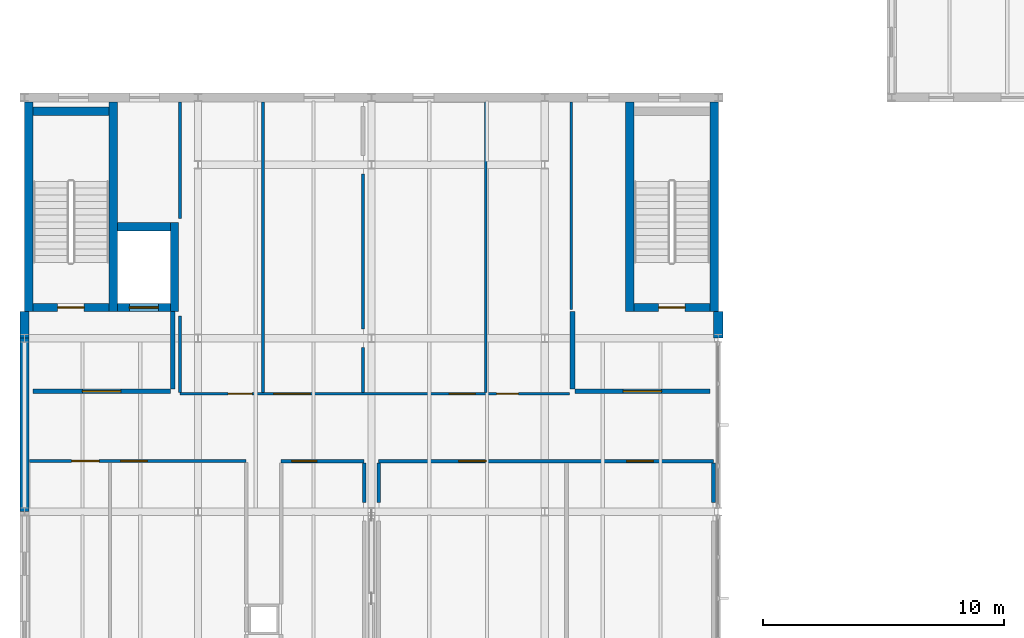
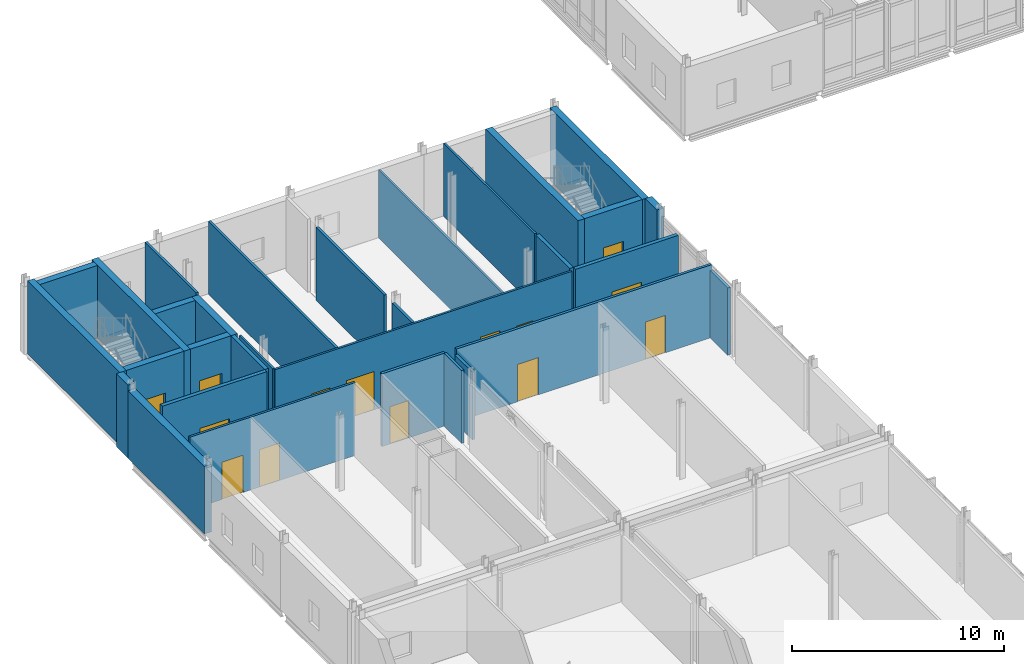
# One storey, part 59 of 72: 31 walls, 14 doors, 14 openings.
"""IFC4 building model written with IfcOpenShell, lengths in metres."""

from ifc_helpers import new_model, si_unit, direction, frame, frame_2d, origin, place, context, subcontext, project, spatial, rectangle, extrude, material, layer, layer_set, type_object, element, fill, save


model = new_model("IFC4")

# Units and contexts
model_context = context("Model", 3, precision=1e-05, world=origin(), true_north=direction((0.0, 1.0)))
body_context = subcontext(model_context, "Body", "Model", "MODEL_VIEW")
ifc_project = project(units=[si_unit("LENGTHUNIT", "METRE"), si_unit("AREAUNIT", "SQUARE_METRE"), si_unit("VOLUMEUNIT", "CUBIC_METRE"), si_unit("PLANEANGLEUNIT", "RADIAN"), si_unit("MASSUNIT", "GRAM", prefix="KILO")], contexts=[model_context])

# Site, building, storey
site_placement = place(None, origin())
site = spatial("IfcSite", under=ifc_project, at=site_placement, CompositionType="ELEMENT")
building_placement = place(site_placement, origin())
building = spatial("IfcBuilding", under=site, at=building_placement, Name="Zarrinpeak Specialist Clinic", CompositionType="ELEMENT")
storey_placement = place(building_placement, frame((0.0, 0.0, 9.60009765625)))
storey = spatial("IfcBuildingStorey", under=building, at=storey_placement, Name="L02", CompositionType="ELEMENT", Elevation=9.60009765625)

# Wall, opening, door
ifc_material_1 = material(Name="Concrete C40/50", Category="concrete")
ifc_layer_1 = layer(ifc_material_1, 0.35009765625)
ifc_layer_set_1 = layer_set([ifc_layer_1], Name="Concrete C40/50")
wall_type_1 = type_object("IfcWallType", Name="WL-CR350", PredefinedType="SHEAR", material=ifc_layer_set_1)
wall_1_placement = place(storey_placement, frame((0.35009765625, 73.27490234375, 0.0), z_axis=(0.0, 0.0, 1.0), x_axis=(1.0, 0.0, 0.0)))
wall_1 = element("IfcWall", 1, at=wall_1_placement, inside=storey, type_object=wall_type_1, Name="L02 Core C09 Shear Wall STS", PredefinedType="SHEAR", context=body_context, shape_type="SweptSolid", body=[
    extrude(rectangle(XDim=3.14990234375, YDim=0.35009765625, at=frame_2d((1.574951171875, 0.0))), origin(), (0.0, 0.0, 1.0), 4.199951171875),
])
opening_1_placement = place(wall_1_placement, frame((1.02490234375, 0.0, 0.0)))
opening_1 = element("IfcOpeningElement", 2, at=opening_1_placement, cuts=wall_1, Name="Opening D-S02", PredefinedType="OPENING", context=body_context, shape_type="SweptSolid", body=[
    extrude(rectangle(XDim=1.10009765625, YDim=2.14990234375, at=frame_2d((0.550048828125, 1.074951171875))), frame((0.0, 0.18505859375, 0.0), z_axis=(0.0, -1.0, 0.0), x_axis=(1.0, 0.0, 0.0)), (0.0, 0.0, 1.0), 0.3701171875),
])
ifc_material_2 = material(Name="Powder-Coated Galvanised Steel", Category="steel")
door_type_1 = type_object("IfcDoorType", Name="DR-FD110", OperationType="SINGLE_SWING_RIGHT", PredefinedType="DOOR", material=ifc_material_2)
door_1_placement = place(opening_1_placement, origin())
door_1 = element("IfcDoor", 3, at=door_1_placement, inside=storey, type_object=door_type_1, Name="L02 Protected Stair ST-09 Fire Door", OperationType="SINGLE_SWING_RIGHT", OverallHeight=2.14990234375, OverallWidth=1.10009765625, PredefinedType="DOOR", context=body_context, shape_type="SweptSolid", body=[
    extrude(rectangle(XDim=1.10009765625, YDim=2.14990234375, at=frame_2d((0.550048828125, 1.074951171875))), frame((0.0, 0.02490234375, 0.0), z_axis=(0.0, -1.0, 0.0), x_axis=(1.0, 0.0, 0.0)), (0.0, 0.0, 1.0), 0.050048828125),
])
fill(opening_1, door_1)

# Walls
wall_2_placement = place(storey_placement, frame((0.35009765625, 81.425048828125, 0.0), z_axis=(0.0, 0.0, 1.0), x_axis=(1.0, 0.0, 0.0)))
element("IfcWall", 4, at=wall_2_placement, inside=storey, type_object=wall_type_1, Name="L02 Core C09 Shear Wall STN", PredefinedType="SHEAR", context=body_context, shape_type="SweptSolid", body=[
    extrude(rectangle(XDim=3.14990234375, YDim=0.35009765625, at=frame_2d((1.574951171875, 0.0))), origin(), (0.0, 0.0, 1.0), 4.199951171875),
])
for number, where, z_axis, x_axis, name in (
    (5, (0.175048828125, 73.10009765625, 0.0), (0.0, 0.0, 1.0), (0.0, 1.0, 0.0), "L02 Core C09 Shear Wall STW"),
    (6, (3.675048828125, 73.10009765625, 0.0), (0.0, 0.0, 1.0), (0.0, 1.0, 0.0), "L02 Core C09 Shear Wall STE"),
):
    element("IfcWall", number, at=place(storey_placement, frame(where, z_axis=z_axis, x_axis=x_axis)), inside=storey, type_object=wall_type_1, Name=name, PredefinedType="SHEAR", context=body_context, shape_type="SweptSolid", body=[
        extrude(rectangle(XDim=8.7099609375, YDim=0.35009765625, at=frame_2d((4.35498046875, 0.0))), origin(), (0.0, 0.0, 1.0), 4.199951171875),
    ])

# Wall, opening, door
wall_3_placement = place(storey_placement, frame((3.85009765625, 73.27490234375, 0.0), z_axis=(0.0, 0.0, 1.0), x_axis=(1.0, 0.0, 0.0)))
wall_3 = element("IfcWall", 7, at=wall_3_placement, inside=storey, type_object=wall_type_1, Name="L02 Lift LF-P5 Shaft Wall LFS", PredefinedType="SHEAR", context=body_context, shape_type="SweptSolid", body=[
    extrude(rectangle(XDim=2.199951171875, YDim=0.35009765625, at=frame_2d((1.10009765625, 0.0))), origin(), (0.0, 0.0, 1.0), 4.199951171875),
])
opening_2_placement = place(wall_3_placement, frame((0.5, 0.0, 0.0)))
opening_2 = element("IfcOpeningElement", 8, at=opening_2_placement, cuts=wall_3, Name="Opening LD-02", PredefinedType="OPENING", context=body_context, shape_type="SweptSolid", body=[
    extrude(rectangle(XDim=1.199951171875, YDim=2.199951171875, at=frame_2d((0.60009765625, 1.10009765625))), frame((0.0, 0.18505859375, 0.0), z_axis=(0.0, -1.0, 0.0), x_axis=(1.0, 0.0, 0.0)), (0.0, 0.0, 1.0), 0.3701171875),
])
door_type_2 = type_object("IfcDoorType", Name="DR-LD120", OperationType="SLIDING_TO_RIGHT", PredefinedType="DOOR", material=ifc_material_2)
door_2_placement = place(opening_2_placement, origin())
door_2 = element("IfcDoor", 9, at=door_2_placement, inside=storey, type_object=door_type_2, Name="L02 Lift LF-P5 Sliding Landing Door", OperationType="SLIDING_TO_RIGHT", OverallHeight=2.199951171875, OverallWidth=1.199951171875, PredefinedType="DOOR", context=body_context, shape_type="SweptSolid", body=[
    extrude(rectangle(XDim=1.199951171875, YDim=2.199951171875, at=frame_2d((0.60009765625, 1.10009765625))), frame((0.0, 0.02490234375, 0.0), z_axis=(0.0, -1.0, 0.0), x_axis=(1.0, 0.0, 0.0)), (0.0, 0.0, 1.0), 0.050048828125),
])
fill(opening_2, door_2)

# Walls
wall_4_placement = place(storey_placement, frame((3.85009765625, 76.625, 0.0), z_axis=(0.0, 0.0, 1.0), x_axis=(1.0, 0.0, 0.0)))
element("IfcWall", 10, at=wall_4_placement, inside=storey, type_object=wall_type_1, Name="L02 Lift LF-P5 Shaft Wall LFN", PredefinedType="SHEAR", context=body_context, shape_type="SweptSolid", body=[
    extrude(rectangle(XDim=2.199951171875, YDim=0.35009765625, at=frame_2d((1.10009765625, 0.0))), origin(), (0.0, 0.0, 1.0), 4.199951171875),
])
wall_5_placement = place(storey_placement, frame((6.22509765625, 73.10009765625, 0.0), z_axis=(0.0, 0.0, 1.0), x_axis=(0.0, 1.0, 0.0)))
element("IfcWall", 11, at=wall_5_placement, inside=storey, type_object=wall_type_1, Name="L02 Lift LF-P5 Shaft Wall LFE", PredefinedType="SHEAR", context=body_context, shape_type="SweptSolid", body=[
    extrude(rectangle(XDim=3.699951171875, YDim=0.35009765625, at=frame_2d((1.85009765625, 0.0))), origin(), (0.0, 0.0, 1.0), 4.199951171875),
])

# Wall, opening, door
wall_6_placement = place(storey_placement, frame((25.300048828125, 73.27490234375, 0.0), z_axis=(0.0, 0.0, 1.0), x_axis=(1.0, 0.0, 0.0)))
wall_6 = element("IfcWall", 12, at=wall_6_placement, inside=storey, type_object=wall_type_1, Name="L02 Core C10 Shear Wall STS", PredefinedType="SHEAR", context=body_context, shape_type="SweptSolid", body=[
    extrude(rectangle(XDim=3.14990234375, YDim=0.35009765625, at=frame_2d((1.574951171875, 0.0))), origin(), (0.0, 0.0, 1.0), 4.199951171875),
])
opening_3_placement = place(wall_6_placement, frame((1.02490234375, 0.0, 0.0)))
opening_3 = element("IfcOpeningElement", 13, at=opening_3_placement, cuts=wall_6, Name="Opening D-S02", PredefinedType="OPENING", context=body_context, shape_type="SweptSolid", body=[
    extrude(rectangle(XDim=1.10009765625, YDim=2.14990234375, at=frame_2d((0.550048828125, 1.074951171875))), frame((0.0, 0.18505859375, 0.0), z_axis=(0.0, -1.0, 0.0), x_axis=(1.0, 0.0, 0.0)), (0.0, 0.0, 1.0), 0.3701171875),
])
door_3_placement = place(opening_3_placement, origin())
door_3 = element("IfcDoor", 14, at=door_3_placement, inside=storey, type_object=door_type_1, Name="L02 Protected Stair ST-10 Fire Door", OperationType="SINGLE_SWING_RIGHT", OverallHeight=2.14990234375, OverallWidth=1.10009765625, PredefinedType="DOOR", context=body_context, shape_type="SweptSolid", body=[
    extrude(rectangle(XDim=1.10009765625, YDim=2.14990234375, at=frame_2d((0.550048828125, 1.074951171875))), frame((0.0, 0.02490234375, 0.0), z_axis=(0.0, -1.0, 0.0), x_axis=(1.0, 0.0, 0.0)), (0.0, 0.0, 1.0), 0.050048828125),
])
fill(opening_3, door_3)

# Walls
for number, where, z_axis, x_axis, name in (
    (15, (25.125, 73.10009765625, 0.0), (0.0, 0.0, 1.0), (0.0, 1.0, 0.0), "L02 Core C10 Shear Wall STW"),
    (16, (28.625, 73.10009765625, 0.0), (0.0, 0.0, 1.0), (0.0, 1.0, 0.0), "L02 Core C10 Shear Wall STE"),
):
    element("IfcWall", number, at=place(storey_placement, frame(where, z_axis=z_axis, x_axis=x_axis)), inside=storey, type_object=wall_type_1, Name=name, PredefinedType="SHEAR", context=body_context, shape_type="SweptSolid", body=[
        extrude(rectangle(XDim=8.7099609375, YDim=0.35009765625, at=frame_2d((4.35498046875, 0.0))), origin(), (0.0, 0.0, 1.0), 4.199951171875),
    ])
ifc_material_3 = material(Name="Precast concrete C40/50", Category="concrete")
ifc_layer_2 = layer(ifc_material_3, 0.3798828125)
ifc_layer_set_2 = layer_set([ifc_layer_2], Name="Precast concrete C40/50")
wall_type_2 = type_object("IfcWallType", Name="WL-EW380", PredefinedType="STANDARD", material=ifc_layer_set_2)
wall_7_placement = place(storey_placement, frame((0.0, 72.0, 0.0), z_axis=(0.0, 0.0, 1.0), x_axis=(0.0, -1.0, 0.0)))
element("IfcWall", 17, at=wall_7_placement, inside=storey, type_object=wall_type_2, Name="L02 V5 Exterior GRC Wall EW-L02-V5-0249", PredefinedType="STANDARD", context=body_context, shape_type="SweptSolid", body=[
    extrude(rectangle(XDim=7.199951171875, YDim=0.3798828125, at=frame_2d((3.60009765625, 0.0))), origin(), (0.0, 0.0, 1.0), 3.885009765625),
])
for number, where, z_axis, x_axis, name in (
    (18, (0.0, 73.10009765625, 0.0), (0.0, 0.0, 1.0), (0.0, -1.0, 0.0), "L02 V5 Exterior GRC Wall EW-L02-V5-0250"),
    (19, (28.800048828125, 72.0, 0.0), (0.0, 0.0, 1.0), (0.0, 1.0, 0.0), "L02 V5 Exterior GRC Wall EW-L02-V5-0252"),
):
    element("IfcWall", number, at=place(storey_placement, frame(where, z_axis=z_axis, x_axis=x_axis)), inside=storey, type_object=wall_type_2, Name=name, PredefinedType="STANDARD", context=body_context, shape_type="SweptSolid", body=[
        extrude(rectangle(XDim=1.10009765625, YDim=0.3798828125, at=frame_2d((0.550048828125, 0.0))), origin(), (0.0, 0.0, 1.0), 4.199951171875),
    ])

# Wall, openings, doors
ifc_material_4 = material(Name="Sanitary Service Chase Plumbing Wall", Category="gypsum")
ifc_layer_3 = layer(ifc_material_4, 0.110107421875)
ifc_layer_set_3 = layer_set([ifc_layer_3], Name="Sanitary Service Chase Plumbing Wall")
wall_type_3 = type_object("IfcWallType", Name="WL-IW110", PredefinedType="PARTITIONING", material=ifc_layer_set_3)
wall_8_placement = place(storey_placement, frame((6.449951171875, 69.699951171875, 0.0), z_axis=(0.0, 0.0, 1.0), x_axis=(1.0, 0.0, 0.0)))
wall_8 = element("IfcWall", 20, at=wall_8_placement, inside=storey, type_object=wall_type_3, Name="L02 Accessible Infusion WC Partition", PredefinedType="PARTITIONING", context=body_context, shape_type="SweptSolid", body=[
    extrude(rectangle(XDim=16.179931640625, YDim=0.110107421875, at=frame_2d((8.08984375, 0.0))), origin(), (0.0, 0.0, 1.0), 4.199951171875),
])
opening_4_placement = place(wall_8_placement, frame((2.0, 0.0, 0.0)))
opening_4 = element("IfcOpeningElement", 21, at=opening_4_placement, cuts=wall_8, Name="Opening D-W02", PredefinedType="OPENING", context=body_context, shape_type="SweptSolid", body=[
    extrude(rectangle(XDim=1.0, YDim=2.10009765625, at=frame_2d((0.5, 1.050048828125))), frame((0.0, 0.06494140625, 0.0), z_axis=(0.0, -1.0, 0.0), x_axis=(1.0, 0.0, 0.0)), (0.0, 0.0, 1.0), 0.130126953125),
])
opening_5_placement = place(wall_8_placement, frame((13.14990234375, 0.0, 0.0)))
opening_5 = element("IfcOpeningElement", 22, at=opening_5_placement, cuts=wall_8, Name="Opening D-W01", PredefinedType="OPENING", context=body_context, shape_type="SweptSolid", body=[
    extrude(rectangle(XDim=0.89990234375, YDim=2.10009765625, at=frame_2d((0.449951171875, 1.050048828125))), frame((0.0, 0.06494140625, 0.0), z_axis=(0.0, -1.0, 0.0), x_axis=(1.0, 0.0, 0.0)), (0.0, 0.0, 1.0), 0.130126953125),
])
opening_6_placement = place(wall_8_placement, frame((3.89990234375, 0.0, 0.0)))
opening_6 = element("IfcOpeningElement", 23, at=opening_6_placement, cuts=wall_8, Name="Opening D-B01", PredefinedType="OPENING", context=body_context, shape_type="SweptSolid", body=[
    extrude(rectangle(XDim=1.5, YDim=2.199951171875, at=frame_2d((0.75, 1.10009765625))), frame((0.0, 0.06494140625, 0.0), z_axis=(0.0, -1.0, 0.0), x_axis=(1.0, 0.0, 0.0)), (0.0, 0.0, 1.0), 0.130126953125),
])
opening_7_placement = place(wall_8_placement, frame((11.18798828125, 0.0, 0.0)))
opening_7 = element("IfcOpeningElement", 24, at=opening_7_placement, cuts=wall_8, Name="Opening DS-60", PredefinedType="OPENING", context=body_context, shape_type="SweptSolid", body=[
    extrude(rectangle(XDim=1.06201171875, YDim=2.152099609375, at=frame_2d((0.531005859375, 1.076171875))), frame((0.0, 0.06494140625, 0.0), z_axis=(0.0, -1.0, 0.0), x_axis=(1.0, 0.0, 0.0)), (0.0, 0.0, 1.0), 0.130126953125),
])
door_type_3 = type_object("IfcDoorType", Name="DR-AWC100", OperationType="SLIDING_TO_LEFT", PredefinedType="DOOR", material=ifc_material_2)
door_4_placement = place(opening_4_placement, frame((1.0, 0.0, 0.0), z_axis=(0.0, 0.0, 1.0), x_axis=(-1.0, 0.0, 0.0)))
door_4 = element("IfcDoor", 25, at=door_4_placement, inside=storey, type_object=door_type_3, Name="L02 Accessible Infusion WC Door", OperationType="SLIDING_TO_LEFT", OverallHeight=2.10009765625, OverallWidth=1.0, PredefinedType="DOOR", context=body_context, shape_type="SweptSolid", body=[
    extrude(rectangle(XDim=1.0, YDim=2.10009765625, at=frame_2d((0.5, 1.050048828125))), frame((0.0, 0.02490234375, 0.0), z_axis=(0.0, -1.0, 0.0), x_axis=(1.0, 0.0, 0.0)), (0.0, 0.0, 1.0), 0.050048828125),
])
fill(opening_4, door_4)
door_type_4 = type_object("IfcDoorType", Name="DR-BED150", OperationType="DOUBLE_DOOR_SINGLE_SWING", PredefinedType="DOOR", material=ifc_material_2)
door_5_placement = place(opening_6_placement, frame((1.5, 0.0, 0.0), z_axis=(0.0, 0.0, 1.0), x_axis=(-1.0, 0.0, 0.0)))
door_5 = element("IfcDoor", 26, at=door_5_placement, inside=storey, type_object=door_type_4, Name="L02 Oncology Chemotherapy Infusion Bay Door", OperationType="DOUBLE_DOOR_SINGLE_SWING", OverallHeight=2.199951171875, OverallWidth=1.5, PredefinedType="DOOR", context=body_context, shape_type="SweptSolid", body=[
    extrude(rectangle(XDim=1.5, YDim=2.199951171875, at=frame_2d((0.75, 1.10009765625))), frame((0.0, 0.02490234375, 0.0), z_axis=(0.0, -1.0, 0.0), x_axis=(1.0, 0.0, 0.0)), (0.0, 0.0, 1.0), 0.050048828125),
])
fill(opening_6, door_5)
door_type_5 = type_object("IfcDoorType", Name="DR-SP60", OperationType="SINGLE_SWING_LEFT", PredefinedType="DOOR", material=ifc_material_2)
door_6_placement = place(opening_7_placement, frame((1.06201171875, 0.0, 0.0), z_axis=(0.0, 0.0, 1.0), x_axis=(-1.0, 0.0, 0.0)))
door_6 = element("IfcDoor", 27, at=door_6_placement, inside=storey, type_object=door_type_5, Name="L02 Specialist Consultation Room 1 Door", OperationType="SINGLE_SWING_LEFT", OverallHeight=2.152099609375, OverallWidth=1.06201171875, PredefinedType="DOOR", context=body_context, shape_type="SweptSolid", body=[
    extrude(rectangle(XDim=1.06201171875, YDim=2.152099609375, at=frame_2d((0.531005859375, 1.076171875))), frame((0.0, 0.02490234375, 0.0), z_axis=(0.0, -1.0, 0.0), x_axis=(1.0, 0.0, 0.0)), (0.0, 0.0, 1.0), 0.050048828125),
])
fill(opening_7, door_6)
door_type_6 = type_object("IfcDoorType", Name="DR-WC90", OperationType="SINGLE_SWING_RIGHT", PredefinedType="DOOR", material=ifc_material_2)
door_7_placement = place(opening_5_placement, frame((0.89990234375, 0.0, 0.0), z_axis=(0.0, 0.0, 1.0), x_axis=(-1.0, 0.0, 0.0)))
door_7 = element("IfcDoor", 28, at=door_7_placement, inside=storey, type_object=door_type_6, Name="L02 Staff Washroom Door", OperationType="SINGLE_SWING_RIGHT", OverallHeight=2.10009765625, OverallWidth=0.89990234375, PredefinedType="DOOR", context=body_context, shape_type="SweptSolid", body=[
    extrude(rectangle(XDim=0.89990234375, YDim=2.10009765625, at=frame_2d((0.449951171875, 1.050048828125))), frame((0.0, 0.02490234375, 0.0), z_axis=(0.0, -1.0, 0.0), x_axis=(1.0, 0.0, 0.0)), (0.0, 0.0, 1.0), 0.050048828125),
])
fill(opening_5, door_7)

# Walls
wall_9_placement = place(storey_placement, frame((6.449951171875, 69.7548828125, 0.0), z_axis=(0.0, 0.0, 1.0), x_axis=(0.0, 1.0, 0.0)))
element("IfcWall", 29, at=wall_9_placement, inside=storey, type_object=wall_type_3, Name="L02 Accessible Infusion WC Dividing Partition", PredefinedType="PARTITIONING", context=body_context, shape_type="SweptSolid", body=[
    extrude(rectangle(XDim=3.170166015625, YDim=0.110107421875, at=frame_2d((1.5849609375, 0.0))), origin(), (0.0, 0.0, 1.0), 4.199951171875),
])
wall_10_placement = place(storey_placement, frame((19.14990234375, 69.7548828125, 0.0), z_axis=(0.0, 0.0, 1.0), x_axis=(0.0, 1.0, 0.0)))
element("IfcWall", 30, at=wall_10_placement, inside=storey, type_object=wall_type_3, Name="L02 Staff Washroom Dividing Partition", PredefinedType="PARTITIONING", context=body_context, shape_type="SweptSolid", body=[
    extrude(rectangle(XDim=12.045166015625, YDim=0.110107421875, at=frame_2d((6.0224609375, 0.0))), origin(), (0.0, 0.0, 1.0), 3.914794921875),
])
wall_11_placement = place(storey_placement, frame((22.699951171875, 73.199951171875, 0.0), z_axis=(0.0, 0.0, 1.0), x_axis=(0.0, 1.0, 0.0)))
element("IfcWall", 31, at=wall_11_placement, inside=storey, type_object=wall_type_3, Name="L02 Staff Washroom Dividing Partition", PredefinedType="PARTITIONING", context=body_context, shape_type="SweptSolid", body=[
    extrude(rectangle(XDim=8.60009765625, YDim=0.110107421875, at=frame_2d((4.300048828125, 0.0))), origin(), (0.0, 0.0, 1.0), 4.199951171875),
])

# Wall, openings, doors
ifc_material_5 = material(Name="Cleanroom Flush Phenolic Partition", Category="gypsum")
ifc_layer_4 = layer(ifc_material_5, 0.117919921875)
ifc_layer_set_4 = layer_set([ifc_layer_4], Name="Cleanroom Flush Phenolic Partition")
wall_type_4 = type_object("IfcWallType", Name="WL-IW118", PredefinedType="PARTITIONING", material=ifc_layer_set_4)
wall_12_placement = place(storey_placement, frame((0.199951171875, 66.89990234375, 0.0), z_axis=(0.0, 0.0, 1.0), x_axis=(1.0, 0.0, 0.0)))
wall_12 = element("IfcWall", 32, at=wall_12_placement, inside=storey, type_object=wall_type_4, Name="L02 Cytotoxic Aseptic Prep Lab Partition", PredefinedType="PARTITIONING", context=body_context, shape_type="SweptSolid", body=[
    extrude(rectangle(XDim=9.0, YDim=0.117919921875, at=frame_2d((4.5, 0.0))), origin(), (0.0, 0.0, 1.0), 4.199951171875),
])
opening_8_placement = place(wall_12_placement, frame((1.75, 0.0, 0.0)))
opening_8 = element("IfcOpeningElement", 33, at=opening_8_placement, cuts=wall_12, Name="Opening D-LB1", PredefinedType="OPENING", context=body_context, shape_type="SweptSolid", body=[
    extrude(rectangle(XDim=1.14990234375, YDim=2.14990234375, at=frame_2d((0.574951171875, 1.074951171875))), frame((0.0, 0.06884765625, 0.0), z_axis=(0.0, -1.0, 0.0), x_axis=(1.0, 0.0, 0.0)), (0.0, 0.0, 1.0), 0.137939453125),
])
opening_9_placement = place(wall_12_placement, frame((3.800048828125, 0.0, 0.0)))
opening_9 = element("IfcOpeningElement", 34, at=opening_9_placement, cuts=wall_12, Name="Opening DS-61", PredefinedType="OPENING", context=body_context, shape_type="SweptSolid", body=[
    extrude(rectangle(XDim=1.087890625, YDim=2.152099609375, at=frame_2d((0.5439453125, 1.076171875))), frame((0.0, 0.06884765625, 0.0), z_axis=(0.0, -1.0, 0.0), x_axis=(1.0, 0.0, 0.0)), (0.0, 0.0, 1.0), 0.137939453125),
])
door_type_7 = type_object("IfcDoorType", Name="DR-LAB115", OperationType="SINGLE_SWING_LEFT", PredefinedType="DOOR", material=ifc_material_2)
door_8_placement = place(opening_8_placement, origin())
door_8 = element("IfcDoor", 35, at=door_8_placement, inside=storey, type_object=door_type_7, Name="L02 Cytotoxic Aseptic Prep Lab Door", OperationType="SINGLE_SWING_LEFT", OverallHeight=2.14990234375, OverallWidth=1.14990234375, PredefinedType="DOOR", context=body_context, shape_type="SweptSolid", body=[
    extrude(rectangle(XDim=1.14990234375, YDim=2.14990234375, at=frame_2d((0.574951171875, 1.074951171875))), frame((0.0, 0.02490234375, 0.0), z_axis=(0.0, -1.0, 0.0), x_axis=(1.0, 0.0, 0.0)), (0.0, 0.0, 1.0), 0.050048828125),
])
fill(opening_8, door_8)
door_type_8 = type_object("IfcDoorType", Name="DR-SP61", OperationType="SINGLE_SWING_RIGHT", PredefinedType="DOOR", material=ifc_material_2)
door_9_placement = place(opening_9_placement, origin())
door_9 = element("IfcDoor", 36, at=door_9_placement, inside=storey, type_object=door_type_8, Name="L02 Specialist Consultation Room 2 Door", OperationType="SINGLE_SWING_RIGHT", OverallHeight=2.152099609375, OverallWidth=1.087890625, PredefinedType="DOOR", context=body_context, shape_type="SweptSolid", body=[
    extrude(rectangle(XDim=1.087890625, YDim=2.152099609375, at=frame_2d((0.5439453125, 1.076171875))), frame((0.0, 0.02490234375, 0.0), z_axis=(0.0, -1.0, 0.0), x_axis=(1.0, 0.0, 0.0)), (0.0, 0.0, 1.0), 0.050048828125),
])
fill(opening_9, door_9)

# Walls
ifc_material_6 = material(Name="Moisture-Resistant Wet-Room Partition", Category="gypsum")
ifc_layer_5 = layer(ifc_material_6, 0.125)
ifc_layer_set_5 = layer_set([ifc_layer_5], Name="Moisture-Resistant Wet-Room Partition")
wall_type_5 = type_object("IfcWallType", Name="WL-IW125W", PredefinedType="PARTITIONING", material=ifc_layer_set_5)
wall_13_placement = place(storey_placement, frame((6.449951171875, 76.97509765625, 0.0), z_axis=(0.0, 0.0, 1.0), x_axis=(0.0, 1.0, 0.0)))
element("IfcWall", 37, at=wall_13_placement, inside=storey, type_object=wall_type_5, Name="L02 Accessible Infusion WC Dividing Partition", PredefinedType="PARTITIONING", context=body_context, shape_type="SweptSolid", body=[
    extrude(rectangle(XDim=4.824951171875, YDim=0.125, at=frame_2d((2.41259765625, 0.0))), origin(), (0.0, 0.0, 1.0), 4.199951171875),
])
wall_14_placement = place(storey_placement, frame((9.89990234375, 69.7548828125, 0.0), z_axis=(0.0, 0.0, 1.0), x_axis=(0.0, 1.0, 0.0)))
element("IfcWall", 38, at=wall_14_placement, inside=storey, type_object=wall_type_5, Name="L02 Accessible Infusion WC Dividing Partition", PredefinedType="PARTITIONING", context=body_context, shape_type="SweptSolid", body=[
    extrude(rectangle(XDim=12.045166015625, YDim=0.125, at=frame_2d((6.0224609375, 0.0))), origin(), (0.0, 0.0, 1.0), 4.199951171875),
])
ifc_material_7 = material(Name="Standard Drywall Partition", Category="gypsum")
ifc_layer_6 = layer(ifc_material_7, 0.135009765625)
ifc_layer_set_6 = layer_set([ifc_layer_6], Name="Standard Drywall Partition")
wall_type_6 = type_object("IfcWallType", Name="WL-IW135", PredefinedType="PARTITIONING", material=ifc_layer_set_6)
wall_15_placement = place(storey_placement, frame((14.050048828125, 72.3798828125, 0.0), z_axis=(0.0, 0.0, 1.0), x_axis=(0.0, 1.0, 0.0)))
element("IfcWall", 39, at=wall_15_placement, inside=storey, type_object=wall_type_6, Name="L02 Oncology Chemotherapy Infusion Bay Dividing Partition", PredefinedType="PARTITIONING", context=body_context, shape_type="SweptSolid", body=[
    extrude(rectangle(XDim=6.440185546875, YDim=0.135009765625, at=frame_2d((3.22021484375, 0.0))), origin(), (0.0, 0.0, 1.0), 4.199951171875),
])
wall_16_placement = place(storey_placement, frame((14.10009765625, 65.179931640625, 0.0), z_axis=(0.0, 0.0, 1.0), x_axis=(0.0, 1.0, 0.0)))
element("IfcWall", 40, at=wall_16_placement, inside=storey, type_object=wall_type_6, Name="L02 Haematology Oncology Consult Dividing Partition", PredefinedType="PARTITIONING", context=body_context, shape_type="SweptSolid", body=[
    extrude(rectangle(XDim=1.64501953125, YDim=0.135009765625, at=frame_2d((0.822509765625, 0.0))), origin(), (0.0, 0.0, 1.0), 4.199951171875),
])

# Wall, openings, doors
ifc_material_8 = material(Name="Acoustic Consultation Stud Partition", Category="gypsum")
ifc_layer_7 = layer(ifc_material_8, 0.14208984375)
ifc_layer_set_7 = layer_set([ifc_layer_7], Name="Acoustic Consultation Stud Partition")
wall_type_7 = type_object("IfcWallType", Name="WL-IW142", PredefinedType="PARTITIONING", material=ifc_layer_set_7)
wall_17_placement = place(storey_placement, frame((14.699951171875, 66.89990234375, 0.0), z_axis=(0.0, 0.0, 1.0), x_axis=(1.0, 0.0, 0.0)))
wall_17 = element("IfcWall", 41, at=wall_17_placement, inside=storey, type_object=wall_type_7, Name="L02 Specialist Consultation Room 3 Partition", PredefinedType="PARTITIONING", context=body_context, shape_type="SweptSolid", body=[
    extrude(rectangle(XDim=13.900146484375, YDim=0.14208984375, at=frame_2d((6.9501953125, 0.0))), origin(), (0.0, 0.0, 1.0), 4.199951171875),
])
opening_10_placement = place(wall_17_placement, frame((10.29296875, 0.0, 0.0)))
opening_10 = element("IfcOpeningElement", 42, at=opening_10_placement, cuts=wall_17, Name="Opening DS-62", PredefinedType="OPENING", context=body_context, shape_type="SweptSolid", body=[
    extrude(rectangle(XDim=1.114013671875, YDim=2.152099609375, at=frame_2d((0.55712890625, 1.076171875))), frame((0.0, 0.0810546875, 0.0), z_axis=(0.0, -1.0, 0.0), x_axis=(1.0, 0.0, 0.0)), (0.0, 0.0, 1.0), 0.162109375),
])
opening_11_placement = place(wall_17_placement, frame((3.330078125, 0.0, 0.0)))
opening_11 = element("IfcOpeningElement", 43, at=opening_11_placement, cuts=wall_17, Name="Opening DS-63", PredefinedType="OPENING", context=body_context, shape_type="SweptSolid", body=[
    extrude(rectangle(XDim=1.139892578125, YDim=2.152099609375, at=frame_2d((0.56982421875, 1.076171875))), frame((0.0, 0.0810546875, 0.0), z_axis=(0.0, -1.0, 0.0), x_axis=(1.0, 0.0, 0.0)), (0.0, 0.0, 1.0), 0.162109375),
])
door_type_9 = type_object("IfcDoorType", Name="DR-SP62", OperationType="SINGLE_SWING_LEFT", PredefinedType="DOOR", material=ifc_material_2)
door_10_placement = place(opening_10_placement, origin())
door_10 = element("IfcDoor", 44, at=door_10_placement, inside=storey, type_object=door_type_9, Name="L02 Specialist Consultation Room 3 Door", OperationType="SINGLE_SWING_LEFT", OverallHeight=2.152099609375, OverallWidth=1.114013671875, PredefinedType="DOOR", context=body_context, shape_type="SweptSolid", body=[
    extrude(rectangle(XDim=1.114013671875, YDim=2.152099609375, at=frame_2d((0.55712890625, 1.076171875))), frame((0.0, 0.02490234375, 0.0), z_axis=(0.0, -1.0, 0.0), x_axis=(1.0, 0.0, 0.0)), (0.0, 0.0, 1.0), 0.050048828125),
])
fill(opening_10, door_10)
door_type_10 = type_object("IfcDoorType", Name="DR-SP63", OperationType="SINGLE_SWING_RIGHT", PredefinedType="DOOR", material=ifc_material_2)
door_11_placement = place(opening_11_placement, origin())
door_11 = element("IfcDoor", 45, at=door_11_placement, inside=storey, type_object=door_type_10, Name="L02 Specialist Consultation Room 4 Door", OperationType="SINGLE_SWING_RIGHT", OverallHeight=2.152099609375, OverallWidth=1.139892578125, PredefinedType="DOOR", context=body_context, shape_type="SweptSolid", body=[
    extrude(rectangle(XDim=1.139892578125, YDim=2.152099609375, at=frame_2d((0.56982421875, 1.076171875))), frame((0.0, 0.02490234375, 0.0), z_axis=(0.0, -1.0, 0.0), x_axis=(1.0, 0.0, 0.0)), (0.0, 0.0, 1.0), 0.050048828125),
])
fill(opening_11, door_11)

# Wall
wall_18_placement = place(storey_placement, frame((14.050048828125, 69.7548828125, 0.0), z_axis=(0.0, 0.0, 1.0), x_axis=(0.0, 1.0, 0.0)))
element("IfcWall", 46, at=wall_18_placement, inside=storey, type_object=wall_type_7, Name="L02 Oncology Chemotherapy Infusion Bay Dividing Partition", PredefinedType="PARTITIONING", context=body_context, shape_type="SweptSolid", body=[
    extrude(rectangle(XDim=1.865234375, YDim=0.14208984375, at=frame_2d((0.9326171875, 0.0))), origin(), (0.0, 0.0, 1.0), 4.199951171875),
])

# Wall, opening, door
ifc_material_9 = material(Name="Insulated Clinical Gypsum Stud Partition", Category="gypsum")
ifc_layer_8 = layer(ifc_material_9, 0.14990234375)
ifc_layer_set_8 = layer_set([ifc_layer_8], Name="Insulated Clinical Gypsum Stud Partition")
wall_type_8 = type_object("IfcWallType", Name="WL-IW150", PredefinedType="PARTITIONING", material=ifc_layer_set_8)
wall_19_placement = place(storey_placement, frame((10.64990234375, 66.89990234375, 0.0), z_axis=(0.0, 0.0, 1.0), x_axis=(1.0, 0.0, 0.0)))
wall_19 = element("IfcWall", 47, at=wall_19_placement, inside=storey, type_object=wall_type_8, Name="L02 Haematology Oncology Consult Partition", PredefinedType="PARTITIONING", context=body_context, shape_type="SweptSolid", body=[
    extrude(rectangle(XDim=3.4501953125, YDim=0.14990234375, at=frame_2d((1.72509765625, 0.0))), origin(), (0.0, 0.0, 1.0), 4.199951171875),
])
opening_12_placement = place(wall_19_placement, frame((0.449951171875, 0.0, 0.0)))
opening_12 = element("IfcOpeningElement", 48, at=opening_12_placement, cuts=wall_19, Name="Opening DS-59", PredefinedType="OPENING", context=body_context, shape_type="SweptSolid", body=[
    extrude(rectangle(XDim=1.035888671875, YDim=2.152099609375, at=frame_2d((0.51806640625, 1.076171875))), frame((0.0, 0.0849609375, 0.0), z_axis=(0.0, -1.0, 0.0), x_axis=(1.0, 0.0, 0.0)), (0.0, 0.0, 1.0), 0.169921875),
])
door_type_11 = type_object("IfcDoorType", Name="DR-SP59", OperationType="SINGLE_SWING_RIGHT", PredefinedType="DOOR", material=ifc_material_2)
door_12_placement = place(opening_12_placement, origin())
door_12 = element("IfcDoor", 49, at=door_12_placement, inside=storey, type_object=door_type_11, Name="L02 Haematology Oncology Consult Door", OperationType="SINGLE_SWING_RIGHT", OverallHeight=2.152099609375, OverallWidth=1.035888671875, PredefinedType="DOOR", context=body_context, shape_type="SweptSolid", body=[
    extrude(rectangle(XDim=1.035888671875, YDim=2.152099609375, at=frame_2d((0.51806640625, 1.076171875))), frame((0.0, 0.02490234375, 0.0), z_axis=(0.0, -1.0, 0.0), x_axis=(1.0, 0.0, 0.0)), (0.0, 0.0, 1.0), 0.050048828125),
])
fill(opening_12, door_12)

# Walls
wall_20_placement = place(storey_placement, frame((14.699951171875, 65.179931640625, 0.0), z_axis=(0.0, 0.0, 1.0), x_axis=(0.0, 1.0, 0.0)))
element("IfcWall", 50, at=wall_20_placement, inside=storey, type_object=wall_type_8, Name="L02 Specialist Consultation Room 4 Dividing Partition", PredefinedType="PARTITIONING", context=body_context, shape_type="SweptSolid", body=[
    extrude(rectangle(XDim=1.649169921875, YDim=0.14990234375, at=frame_2d((0.82470703125, 0.0))), origin(), (0.0, 0.0, 1.0), 3.89501953125),
])
wall_21_placement = place(storey_placement, frame((28.60009765625, 65.179931640625, 0.0), z_axis=(0.0, 0.0, 1.0), x_axis=(0.0, 1.0, 0.0)))
element("IfcWall", 51, at=wall_21_placement, inside=storey, type_object=wall_type_8, Name="L02 Specialist Consultation Room 3 Dividing Partition", PredefinedType="PARTITIONING", context=body_context, shape_type="SweptSolid", body=[
    extrude(rectangle(XDim=1.649169921875, YDim=0.14990234375, at=frame_2d((0.82470703125, 0.0))), origin(), (0.0, 0.0, 1.0), 3.885009765625),
])

# Wall, opening, door
ifc_material_10 = material(Name="Autoclaved Aerated Concrete Blockwork", Category="masonry")
ifc_layer_9 = layer(ifc_material_10, 0.199951171875)
ifc_layer_set_9 = layer_set([ifc_layer_9], Name="Autoclaved Aerated Concrete Blockwork")
wall_type_9 = type_object("IfcWallType", Name="WL-IW200", PredefinedType="PARTITIONING", material=ifc_layer_set_9)
wall_22_placement = place(storey_placement, frame((0.35009765625, 69.800048828125, 0.0), z_axis=(0.0, 0.0, 1.0), x_axis=(1.0, 0.0, 0.0)))
wall_22 = element("IfcWall", 52, at=wall_22_placement, inside=storey, type_object=wall_type_9, Name="L02 C09 Protected Lobby Partition LBF", PredefinedType="PARTITIONING", context=body_context, shape_type="SweptSolid", body=[
    extrude(rectangle(XDim=5.699951171875, YDim=0.199951171875, at=frame_2d((2.85009765625, 0.0))), origin(), (0.0, 0.0, 1.0), 4.199951171875),
])
opening_13_placement = place(wall_22_placement, frame((2.050048828125, 0.0, 0.0)))
opening_13 = element("IfcOpeningElement", 53, at=opening_13_placement, cuts=wall_22, Name="Opening D-L01", PredefinedType="OPENING", context=body_context, shape_type="SweptSolid", body=[
    extrude(rectangle(XDim=1.60009765625, YDim=2.199951171875, at=frame_2d((0.800048828125, 1.10009765625))), frame((0.0, 0.10986328125, 0.0), z_axis=(0.0, -1.0, 0.0), x_axis=(1.0, 0.0, 0.0)), (0.0, 0.0, 1.0), 0.219970703125),
])
door_type_12 = type_object("IfcDoorType", Name="DR-LB160", OperationType="DOUBLE_DOOR_SINGLE_SWING", PredefinedType="DOOR", material=ifc_material_2)
door_13_placement = place(opening_13_placement, origin())
door_13 = element("IfcDoor", 54, at=door_13_placement, inside=storey, type_object=door_type_12, Name="L02 C09 Lobby Hold-Open Fire Door", OperationType="DOUBLE_DOOR_SINGLE_SWING", OverallHeight=2.199951171875, OverallWidth=1.60009765625, PredefinedType="DOOR", context=body_context, shape_type="SweptSolid", body=[
    extrude(rectangle(XDim=1.60009765625, YDim=2.199951171875, at=frame_2d((0.800048828125, 1.10009765625))), frame((0.0, 0.02490234375, 0.0), z_axis=(0.0, -1.0, 0.0), x_axis=(1.0, 0.0, 0.0)), (0.0, 0.0, 1.0), 0.050048828125),
])
fill(opening_13, door_13)

# Wall
wall_23_placement = place(storey_placement, frame((6.14990234375, 69.89990234375, 0.0), z_axis=(0.0, 0.0, 1.0), x_axis=(0.0, 1.0, 0.0)))
element("IfcWall", 55, at=wall_23_placement, inside=storey, type_object=wall_type_9, Name="L02 C09 Protected Lobby Partition LBE", PredefinedType="PARTITIONING", context=body_context, shape_type="SweptSolid", body=[
    extrude(rectangle(XDim=3.2001953125, YDim=0.199951171875, at=frame_2d((1.60009765625, 0.0))), origin(), (0.0, 0.0, 1.0), 4.199951171875),
])

# Wall, opening, door
wall_24_placement = place(storey_placement, frame((22.85009765625, 69.800048828125, 0.0), z_axis=(0.0, 0.0, 1.0), x_axis=(1.0, 0.0, 0.0)))
wall_24 = element("IfcWall", 56, at=wall_24_placement, inside=storey, type_object=wall_type_9, Name="L02 C10 Protected Lobby Partition LBF", PredefinedType="PARTITIONING", context=body_context, shape_type="SweptSolid", body=[
    extrude(rectangle(XDim=5.599853515625, YDim=0.199951171875, at=frame_2d((2.7998046875, 0.0))), origin(), (0.0, 0.0, 1.0), 4.199951171875),
])
opening_14_placement = place(wall_24_placement, frame((2.0, 0.0, 0.0)))
opening_14 = element("IfcOpeningElement", 57, at=opening_14_placement, cuts=wall_24, Name="Opening D-L01", PredefinedType="OPENING", context=body_context, shape_type="SweptSolid", body=[
    extrude(rectangle(XDim=1.60009765625, YDim=2.199951171875, at=frame_2d((0.800048828125, 1.10009765625))), frame((0.0, 0.10986328125, 0.0), z_axis=(0.0, -1.0, 0.0), x_axis=(1.0, 0.0, 0.0)), (0.0, 0.0, 1.0), 0.219970703125),
])
door_14_placement = place(opening_14_placement, origin())
door_14 = element("IfcDoor", 58, at=door_14_placement, inside=storey, type_object=door_type_12, Name="L02 C10 Lobby Hold-Open Fire Door", OperationType="DOUBLE_DOOR_SINGLE_SWING", OverallHeight=2.199951171875, OverallWidth=1.60009765625, PredefinedType="DOOR", context=body_context, shape_type="SweptSolid", body=[
    extrude(rectangle(XDim=1.60009765625, YDim=2.199951171875, at=frame_2d((0.800048828125, 1.10009765625))), frame((0.0, 0.02490234375, 0.0), z_axis=(0.0, -1.0, 0.0), x_axis=(1.0, 0.0, 0.0)), (0.0, 0.0, 1.0), 0.050048828125),
])
fill(opening_14, door_14)

# Wall
wall_25_placement = place(storey_placement, frame((22.75, 69.89990234375, 0.0), z_axis=(0.0, 0.0, 1.0), x_axis=(0.0, 1.0, 0.0)))
element("IfcWall", 59, at=wall_25_placement, inside=storey, type_object=wall_type_9, Name="L02 C10 Protected Lobby Partition LBW", PredefinedType="PARTITIONING", context=body_context, shape_type="SweptSolid", body=[
    extrude(rectangle(XDim=3.2001953125, YDim=0.199951171875, at=frame_2d((1.60009765625, 0.0))), origin(), (0.0, 0.0, 1.0), 4.199951171875),
])

save(model, "model.ifc")
